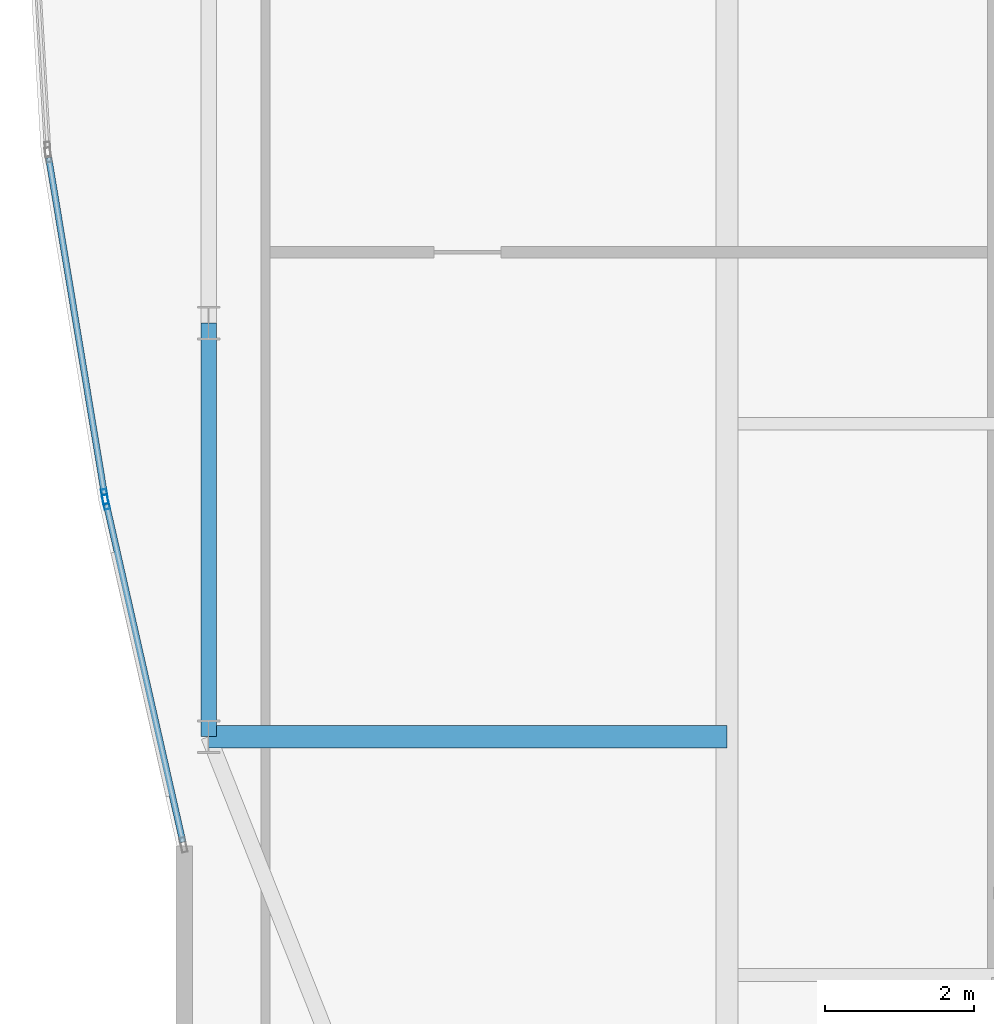
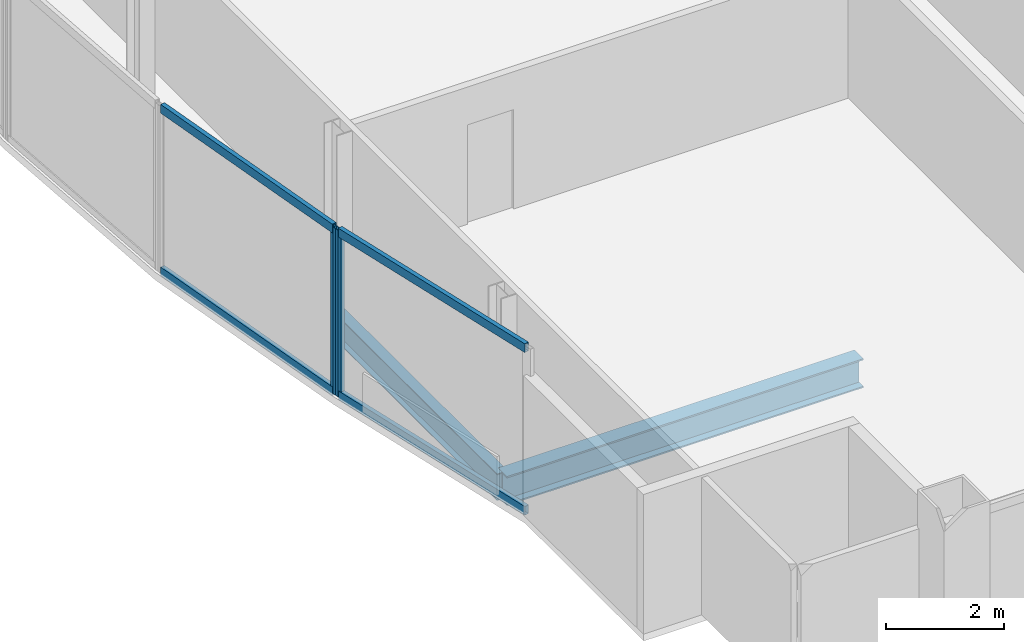
# One storey, part 5 of 29: 6 members, 2 beams, 2 elements without a shape of their own.
"""IFC4 building model written with IfcOpenShell, lengths in metres."""

from ifc_helpers import new_model, si_unit, direction, frame, origin, origin_2d, place, context, subcontext, project, spatial, hollow_rectangle, i_section, extrude, material, material_profile, profile_set, type_object, element, aggregate, save


model = new_model("IFC4")

# Units and contexts
model_context = context("Model", 3, precision=1e-05, world=origin(), true_north=direction((0.0, 1.0)))
body_context = subcontext(model_context, "Body", "Model", "MODEL_VIEW")
ifc_project = project(units=[si_unit("LENGTHUNIT", "METRE"), si_unit("AREAUNIT", "SQUARE_METRE"), si_unit("VOLUMEUNIT", "CUBIC_METRE"), si_unit("PLANEANGLEUNIT", "RADIAN"), si_unit("MASSUNIT", "GRAM", prefix="KILO")], contexts=[model_context])

# Site, building, storey
site_placement = place(None, origin())
site = spatial("IfcSite", under=ifc_project, at=site_placement, CompositionType="ELEMENT")
building_placement = place(site_placement, origin())
building = spatial("IfcBuilding", under=site, at=building_placement, Name="Khoronbel Lancet Exchange", CompositionType="ELEMENT")
storey_placement = place(building_placement, frame((0.0, 0.0, 318.199951171875)))
storey = spatial("IfcBuildingStorey", under=building, at=storey_placement, Name="L82", CompositionType="ELEMENT", Elevation=318.199951171875)

# Beams
ifc_material_1 = material(Name="Steel S355", Category="steel")
ifc_material_profile_1 = material_profile(ifc_material_1, i_section(OverallWidth=0.300048828125, OverallDepth=0.60009765625, WebThickness=0.015380859375, FlangeThickness=0.030029296875, at=origin_2d()), Name="HEB 600")
ifc_profile_set_1 = profile_set([ifc_material_profile_1], Name="Steel S355")
beam_type_1 = type_object("IfcBeamType", Name="BM-BG5", PredefinedType="BEAM", material=ifc_profile_set_1)
beam_1_placement = place(storey_placement, frame((11.27001953125, 19.199951171875, -0.4599609375), z_axis=(1.0, 0.0, 0.0), x_axis=(0.0, 1.0, 0.0)))
element("IfcBeam", 1, at=beam_1_placement, inside=storey, type_object=beam_type_1, Name="Level L82 west lens tie girder LG1W", PredefinedType="BEAM", context=body_context, shape_type="SweptSolid", body=[
    extrude(i_section(OverallWidth=0.300048828125, OverallDepth=0.60009765625, WebThickness=0.015380859375, FlangeThickness=0.030029296875, at=origin_2d()), origin(), (0.0, 0.0, 1.0), 6.955078125),
])
ifc_material_profile_2 = material_profile(ifc_material_1, i_section(OverallWidth=0.2099609375, OverallDepth=0.550048828125, WebThickness=0.010986328125, FlangeThickness=0.01708984375, at=origin_2d()), Name="IPE 550")
ifc_profile_set_2 = profile_set([ifc_material_profile_2], Name="Steel S355")
beam_type_2 = type_object("IfcBeamType", Name="BM-BSP3", PredefinedType="SPANDREL", material=ifc_profile_set_2)
beam_2_placement = place(storey_placement, frame((11.27001953125, 24.75, -0.43505859375), z_axis=(0.0, -1.0, 0.0), x_axis=(1.0, 0.0, 0.0)))
element("IfcBeam", 2, at=beam_2_placement, inside=storey, type_object=beam_type_2, Name="Level L82 perimeter spandrel beam SP18", PredefinedType="SPANDREL", context=body_context, shape_type="SweptSolid", body=[
    extrude(i_section(OverallWidth=0.2099609375, OverallDepth=0.550048828125, WebThickness=0.010986328125, FlangeThickness=0.01708984375, at=origin_2d()), origin(), (0.0, 0.0, 1.0), 5.550048828125),
])

# Curtain wall, member
ifc_material_2 = material(Name="Low-E Solar Control Insulating Glass", Category="glass")
curtain_wall_type = type_object("IfcCurtainWallType", Name="CW-4", PredefinedType="NOTDEFINED", material=ifc_material_2)
curtain_wall_1_placement = place(storey_placement, origin())
curtain_wall_1 = element("IfcCurtainWall", 3, at=curtain_wall_1_placement, inside=storey, type_object=curtain_wall_type, Name="Unitised curtain wall CW-L82-E04", PredefinedType="NOTDEFINED")
ifc_material_3 = material(Name="Bronze-Anodised Aluminium 6063-T6", Category="aluminium")
ifc_material_profile_3 = material_profile(ifc_material_3, hollow_rectangle(XDim=0.074951171875, YDim=0.199951171875, WallThickness=0.0048828125, at=origin_2d()), Name="ALU MULLION 75x200")
ifc_profile_set_3 = profile_set([ifc_material_profile_3], Name="Bronze-Anodised Aluminium 6063-T6")
member_type_1 = type_object("IfcMemberType", Name="MEM-CWM2", PredefinedType="MULLION", material=ifc_profile_set_3)
member_1_placement = place(storey_placement, frame((9.890380859375, 22.347412109375, 0.0), z_axis=(0.0, 0.0, 1.0), x_axis=(-0.975333138033, -0.220738011804, 0.0)))
member_1 = element("IfcMember", 4, at=member_1_placement, type_object=member_type_1, Name="CW4 mullion 2", PredefinedType="MULLION", context=body_context, shape_type="SweptSolid", body=[
    extrude(hollow_rectangle(XDim=0.074951171875, YDim=0.199951171875, WallThickness=0.0048828125, at=origin_2d()), origin(), (0.0, 0.0, 1.0), 3.43994140625),
])

curtain_wall_2_placement = place(storey_placement, origin())
curtain_wall_2 = element("IfcCurtainWall", 5, at=curtain_wall_2_placement, inside=storey, type_object=curtain_wall_type, Name="Unitised curtain wall CW-L82-E05", PredefinedType="NOTDEFINED")
member_2_placement = place(storey_placement, frame((9.8759765625, 22.4208984375, 0.0), z_axis=(0.0, 0.0, 1.0), x_axis=(-0.986546857696, -0.163478737362, 0.0)))
member_2 = element("IfcMember", 6, at=member_2_placement, type_object=member_type_1, Name="CW4 mullion 1", PredefinedType="MULLION", context=body_context, shape_type="SweptSolid", body=[
    extrude(hollow_rectangle(XDim=0.074951171875, YDim=0.199951171875, WallThickness=0.0048828125, at=origin_2d()), origin(), (0.0, 0.0, 1.0), 3.43994140625),
])

# Member
ifc_material_profile_4 = material_profile(ifc_material_3, hollow_rectangle(XDim=0.0849609375, YDim=0.179931640625, WallThickness=0.0048828125, at=origin_2d()), Name="ALU TRANSOM 85x180")
ifc_profile_set_4 = profile_set([ifc_material_profile_4], Name="Bronze-Anodised Aluminium 6063-T6")
member_type_2 = type_object("IfcMemberType", Name="MEM-CWT1", PredefinedType="USERDEFINED", material=ifc_profile_set_4)
member_3_placement = place(storey_placement, frame((10.92333984375, 17.783203125, 0.04248046875), z_axis=(-0.220732202652, 0.975334452746, 0.0), x_axis=(-0.975334452746, -0.220732202652, 0.0)))
member_3 = element("IfcMember", 7, at=member_3_placement, type_object=member_type_2, Name="CW4 transom 1.1", ObjectType="TRANSOM", PredefinedType="USERDEFINED", context=body_context, shape_type="SweptSolid", body=[
    extrude(hollow_rectangle(XDim=0.0849609375, YDim=0.179931640625, WallThickness=0.0048828125, at=origin_2d()), origin(), (0.0, 0.0, 1.0), 4.64208984375),
])

member_4_placement = place(storey_placement, frame((10.92333984375, 17.783203125, 3.3974609375), z_axis=(-0.220732202652, 0.975334452746, 0.0), x_axis=(-0.975334452746, -0.220732202652, 0.0)))
member_4 = element("IfcMember", 8, at=member_4_placement, type_object=member_type_2, Name="CW4 transom 1.2", ObjectType="TRANSOM", PredefinedType="USERDEFINED", context=body_context, shape_type="SweptSolid", body=[
    extrude(hollow_rectangle(XDim=0.0849609375, YDim=0.179931640625, WallThickness=0.0048828125, at=origin_2d()), origin(), (0.0, 0.0, 1.0), 4.64208984375),
])

aggregate(curtain_wall_1, [member_1, member_3, member_4])

member_5_placement = place(storey_placement, frame((9.869873046875, 22.4580078125, 0.04248046875), z_axis=(-0.163472569288, 0.986547879776, 0.0), x_axis=(-0.986547879776, -0.163472569288, 0.0)))
member_5 = element("IfcMember", 9, at=member_5_placement, type_object=member_type_2, Name="CW4 transom 1.1", ObjectType="TRANSOM", PredefinedType="USERDEFINED", context=body_context, shape_type="SweptSolid", body=[
    extrude(hollow_rectangle(XDim=0.0849609375, YDim=0.179931640625, WallThickness=0.0048828125, at=origin_2d()), origin(), (0.0, 0.0, 1.0), 4.572998046875),
])

member_6_placement = place(storey_placement, frame((9.869873046875, 22.4580078125, 3.3974609375), z_axis=(-0.163472569288, 0.986547879776, 0.0), x_axis=(-0.986547879776, -0.163472569288, 0.0)))
member_6 = element("IfcMember", 10, at=member_6_placement, type_object=member_type_2, Name="CW4 transom 1.2", ObjectType="TRANSOM", PredefinedType="USERDEFINED", context=body_context, shape_type="SweptSolid", body=[
    extrude(hollow_rectangle(XDim=0.0849609375, YDim=0.179931640625, WallThickness=0.0048828125, at=origin_2d()), origin(), (0.0, 0.0, 1.0), 4.572998046875),
])

aggregate(curtain_wall_2, [member_2, member_5, member_6])

save(model, "model.ifc")
